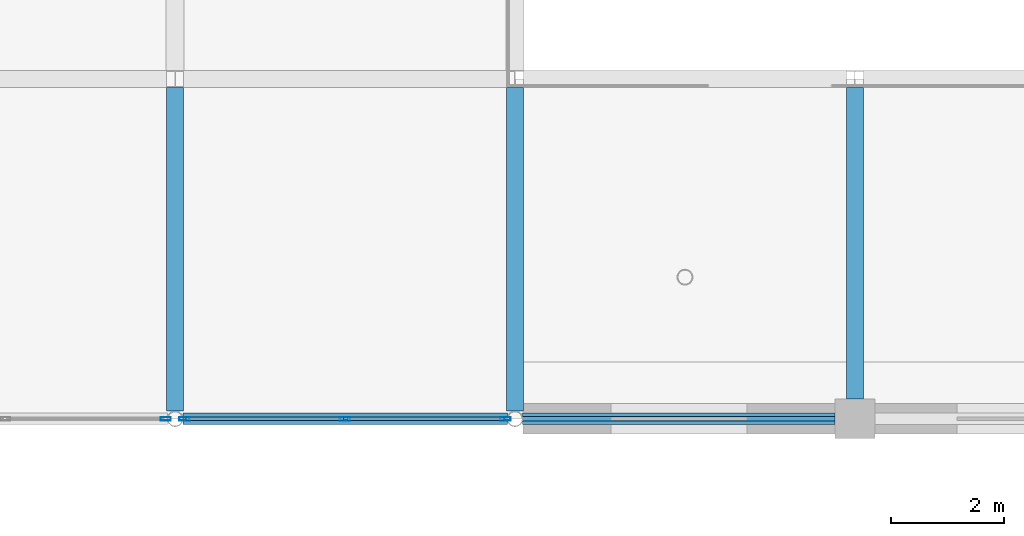
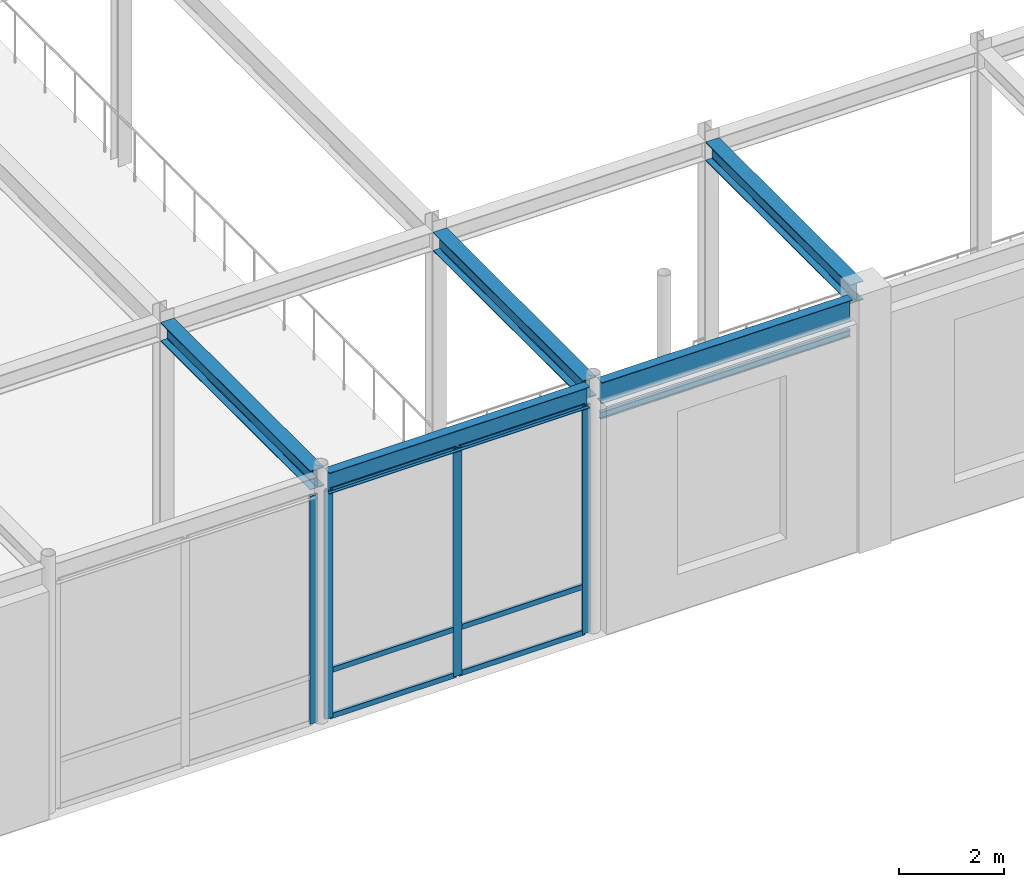
# One storey, part 54 of 108: 10 members, 6 beams, 2 elements without a shape of their own.
"""IFC4 building model written with IfcOpenShell, lengths in metres."""

from ifc_helpers import new_model, si_unit, direction, frame, origin, origin_2d, place, context, subcontext, project, spatial, hollow_rectangle, i_section, extrude, material, layer, layer_set, material_profile, profile_set, type_object, element, aggregate, save


model = new_model("IFC4")

# Units and contexts
model_context = context("Model", 3, precision=1e-05, world=origin(), true_north=direction((0.0, 1.0)))
body_context = subcontext(model_context, "Body", "Model", "MODEL_VIEW")
ifc_project = project(units=[si_unit("LENGTHUNIT", "METRE"), si_unit("AREAUNIT", "SQUARE_METRE"), si_unit("VOLUMEUNIT", "CUBIC_METRE"), si_unit("PLANEANGLEUNIT", "RADIAN"), si_unit("MASSUNIT", "GRAM", prefix="KILO")], contexts=[model_context])

# Site, building, storey
site_placement = place(None, origin())
site = spatial("IfcSite", under=ifc_project, at=site_placement, CompositionType="ELEMENT")
building_placement = place(site_placement, origin())
building = spatial("IfcBuilding", under=site, at=building_placement, Name="Zlatovratsky Civic Hall", CompositionType="ELEMENT")
storey_placement = place(building_placement, frame((0.0, 0.0, 6.0)))
storey = spatial("IfcBuildingStorey", under=building, at=storey_placement, Name="L02", CompositionType="ELEMENT", Elevation=6.0)

# Beams
ifc_material_1 = material(Name="Steel S355", Category="steel")
ifc_material_profile_1 = material_profile(ifc_material_1, i_section(OverallWidth=0.198974609375, OverallDepth=0.491943359375, WebThickness=0.0087890625, FlangeThickness=0.011962890625, FilletRadius=0.01611328125, at=origin_2d()), Name="50B1")
ifc_profile_set_1 = profile_set([ifc_material_profile_1], Name="Steel S355")
beam_type_1 = type_object("IfcBeamType", Name="Beam_Spandrel_50B1", PredefinedType="SPANDREL", material=ifc_profile_set_1)
beam_1_placement = place(storey_placement, frame((66.136474609375, 12.0, 5.513916015625), z_axis=(1.0, 0.0, 0.0), x_axis=(0.0, 1.0, 0.0)))
element("IfcBeam", 1, at=beam_1_placement, inside=storey, type_object=beam_type_1, Name="BM-1747", PredefinedType="SPANDREL", context=body_context, shape_type="SweptSolid", body=[
    extrude(i_section(OverallWidth=0.198974609375, OverallDepth=0.491943359375, WebThickness=0.0087890625, FlangeThickness=0.011962890625, FilletRadius=0.01611328125, at=origin_2d()), origin(), (0.0, 0.0, 1.0), 5.72705078125),
])
beam_2_placement = place(storey_placement, frame((72.136474609375, 12.0, 5.513916015625), z_axis=(1.0, 0.0, 0.0), x_axis=(0.0, 1.0, 0.0)))
element("IfcBeam", 2, at=beam_2_placement, inside=storey, type_object=beam_type_1, Name="BM-1748", PredefinedType="SPANDREL", context=body_context, shape_type="SweptSolid", body=[
    extrude(i_section(OverallWidth=0.198974609375, OverallDepth=0.491943359375, WebThickness=0.0087890625, FlangeThickness=0.011962890625, FilletRadius=0.01611328125, at=origin_2d()), origin(), (0.0, 0.0, 1.0), 5.513427734375),
])
ifc_material_profile_2 = material_profile(ifc_material_1, i_section(OverallWidth=0.300048828125, OverallDepth=0.43994140625, WebThickness=0.010986328125, FlangeThickness=0.01806640625, FilletRadius=0.02197265625, at=origin_2d()), Name="45Sh1")
ifc_profile_set_2 = profile_set([ifc_material_profile_2], Name="Steel S355")
beam_type_2 = type_object("IfcBeamType", Name="Beam_TowerLow_45Sh1", PredefinedType="BEAM", material=ifc_profile_set_2)
for number, where, z_axis, x_axis, name in (
    (3, (66.0, 12.136474609375, 5.5400390625), (0.0, 1.0, 0.0), (-1.0, 0.0, 0.0), "BM-2180"),
    (4, (72.0, 12.136474609375, 5.5400390625), (0.0, 1.0, 0.0), (-1.0, 0.0, 0.0), "BM-2196"),
):
    element("IfcBeam", number, at=place(storey_placement, frame(where, z_axis=z_axis, x_axis=x_axis)), inside=storey, type_object=beam_type_2, Name=name, PredefinedType="BEAM", context=body_context, shape_type="SweptSolid", body=[
        extrude(i_section(OverallWidth=0.300048828125, OverallDepth=0.43994140625, WebThickness=0.010986328125, FlangeThickness=0.01806640625, FilletRadius=0.02197265625, at=origin_2d()), origin(), (0.0, 0.0, 1.0), 5.713623046875),
    ])
beam_3_placement = place(storey_placement, frame((78.0, 12.35009765625, 5.5400390625), z_axis=(0.0, 1.0, 0.0), x_axis=(-1.0, 0.0, 0.0)))
element("IfcBeam", 5, at=beam_3_placement, inside=storey, type_object=beam_type_2, Name="BM-2208", PredefinedType="BEAM", context=body_context, shape_type="SweptSolid", body=[
    extrude(i_section(OverallWidth=0.300048828125, OverallDepth=0.43994140625, WebThickness=0.010986328125, FlangeThickness=0.01806640625, FilletRadius=0.02197265625, at=origin_2d()), origin(), (0.0, 0.0, 1.0), 5.5),
])

# Curtain wall, member
ifc_material_2 = material(Name="Anodised bronze aluminium", Category="aluminium")
ifc_layer = layer(ifc_material_2, 0.159912109375)
ifc_layer_set = layer_set([ifc_layer], Name="Anodised bronze aluminium")
curtain_wall_type = type_object("IfcCurtainWallType", Name="CurtainWall_Bronze_5730x5310_03", PredefinedType="NOTDEFINED", material=ifc_layer_set)
curtain_wall_1_placement = place(storey_placement, origin())
curtain_wall_1 = element("IfcCurtainWall", 6, at=curtain_wall_1_placement, inside=storey, type_object=curtain_wall_type, Name="CW-005", PredefinedType="NOTDEFINED")
ifc_material_profile_3 = material_profile(ifc_material_2, hollow_rectangle(XDim=0.06005859375, YDim=0.179931640625, WallThickness=0.00390625, at=origin_2d()), Name="ALU 60x180x4")
ifc_profile_set_3 = profile_set([ifc_material_profile_3], Name="Anodised bronze aluminium")
member_type_1 = type_object("IfcMemberType", Name="CW_Mullion_60x180", PredefinedType="MULLION", material=ifc_profile_set_3)
member_1_placement = place(storey_placement, frame((65.83349609375, 12.0, 0.0), z_axis=(0.0, 0.0, 1.0), x_axis=(0.0, 1.0, 0.0)))
member_1 = element("IfcMember", 7, at=member_1_placement, type_object=member_type_1, Name="CW-03 mullion 3", PredefinedType="MULLION", context=body_context, shape_type="SweptSolid", body=[
    extrude(hollow_rectangle(XDim=0.06005859375, YDim=0.179931640625, WallThickness=0.00390625, at=origin_2d()), origin(), (0.0, 0.0, 1.0), 5.31005859375),
])
aggregate(curtain_wall_1, [member_1])

# Curtain wall, members
curtain_wall_2_placement = place(storey_placement, origin())
curtain_wall_2 = element("IfcCurtainWall", 8, at=curtain_wall_2_placement, inside=storey, type_object=curtain_wall_type, Name="CW-006", PredefinedType="NOTDEFINED")
member_2_placement = place(storey_placement, frame((66.16650390625, 12.0, 0.0), z_axis=(0.0, 0.0, 1.0), x_axis=(0.0, 1.0, 0.0)))
member_2 = element("IfcMember", 9, at=member_2_placement, type_object=member_type_1, Name="CW-03 mullion 1", PredefinedType="MULLION", context=body_context, shape_type="SweptSolid", body=[
    extrude(hollow_rectangle(XDim=0.06005859375, YDim=0.179931640625, WallThickness=0.00390625, at=origin_2d()), origin(), (0.0, 0.0, 1.0), 5.31005859375),
])
member_3_placement = place(storey_placement, frame((69.0, 12.0, 0.0), z_axis=(0.0, 0.0, 1.0), x_axis=(0.0, 1.0, 0.0)))
member_3 = element("IfcMember", 10, at=member_3_placement, type_object=member_type_1, Name="CW-03 mullion 2", PredefinedType="MULLION", context=body_context, shape_type="SweptSolid", body=[
    extrude(hollow_rectangle(XDim=0.06005859375, YDim=0.179931640625, WallThickness=0.00390625, at=origin_2d()), origin(), (0.0, 0.0, 1.0), 5.31005859375),
])
member_4_placement = place(storey_placement, frame((71.83349609375, 12.0, 0.0), z_axis=(0.0, 0.0, 1.0), x_axis=(0.0, 1.0, 0.0)))
member_4 = element("IfcMember", 11, at=member_4_placement, type_object=member_type_1, Name="CW-03 mullion 3", PredefinedType="MULLION", context=body_context, shape_type="SweptSolid", body=[
    extrude(hollow_rectangle(XDim=0.06005859375, YDim=0.179931640625, WallThickness=0.00390625, at=origin_2d()), origin(), (0.0, 0.0, 1.0), 5.31005859375),
])
ifc_material_profile_4 = material_profile(ifc_material_2, hollow_rectangle(XDim=0.06005859375, YDim=0.1201171875, WallThickness=0.00390625, at=origin_2d()), Name="ALU 60x120x4")
ifc_profile_set_4 = profile_set([ifc_material_profile_4], Name="Anodised bronze aluminium")
member_type_2 = type_object("IfcMemberType", Name="CW_Transom_60x120", PredefinedType="USERDEFINED", material=ifc_profile_set_4)
member_5_placement = place(storey_placement, frame((66.196533203125, 12.0, 0.030029296875), z_axis=(1.0, 0.0, 0.0), x_axis=(0.0, 1.0, 0.0)))
member_5 = element("IfcMember", 12, at=member_5_placement, type_object=member_type_2, Name="CW-03 transom 1.1", ObjectType="TRANSOM", PredefinedType="USERDEFINED", context=body_context, shape_type="SweptSolid", body=[
    extrude(hollow_rectangle(XDim=0.06005859375, YDim=0.1201171875, WallThickness=0.00390625, at=origin_2d()), origin(), (0.0, 0.0, 1.0), 2.7734375),
])
member_6_placement = place(storey_placement, frame((66.196533203125, 12.0, 1.10009765625), z_axis=(1.0, 0.0, 0.0), x_axis=(0.0, 1.0, 0.0)))
member_6 = element("IfcMember", 13, at=member_6_placement, type_object=member_type_2, Name="CW-03 transom 1.2", ObjectType="TRANSOM", PredefinedType="USERDEFINED", context=body_context, shape_type="SweptSolid", body=[
    extrude(hollow_rectangle(XDim=0.06005859375, YDim=0.1201171875, WallThickness=0.00390625, at=origin_2d()), origin(), (0.0, 0.0, 1.0), 2.7734375),
])
member_7_placement = place(storey_placement, frame((66.196533203125, 12.0, 5.280029296875), z_axis=(1.0, 0.0, 0.0), x_axis=(0.0, 1.0, 0.0)))
member_7 = element("IfcMember", 14, at=member_7_placement, type_object=member_type_2, Name="CW-03 transom 1.3", ObjectType="TRANSOM", PredefinedType="USERDEFINED", context=body_context, shape_type="SweptSolid", body=[
    extrude(hollow_rectangle(XDim=0.06005859375, YDim=0.1201171875, WallThickness=0.00390625, at=origin_2d()), origin(), (0.0, 0.0, 1.0), 2.7734375),
])
member_8_placement = place(storey_placement, frame((69.030029296875, 12.0, 0.030029296875), z_axis=(1.0, 0.0, 0.0), x_axis=(0.0, 1.0, 0.0)))
member_8 = element("IfcMember", 15, at=member_8_placement, type_object=member_type_2, Name="CW-03 transom 2.1", ObjectType="TRANSOM", PredefinedType="USERDEFINED", context=body_context, shape_type="SweptSolid", body=[
    extrude(hollow_rectangle(XDim=0.06005859375, YDim=0.1201171875, WallThickness=0.00390625, at=origin_2d()), origin(), (0.0, 0.0, 1.0), 2.7734375),
])
member_9_placement = place(storey_placement, frame((69.030029296875, 12.0, 1.10009765625), z_axis=(1.0, 0.0, 0.0), x_axis=(0.0, 1.0, 0.0)))
member_9 = element("IfcMember", 16, at=member_9_placement, type_object=member_type_2, Name="CW-03 transom 2.2", ObjectType="TRANSOM", PredefinedType="USERDEFINED", context=body_context, shape_type="SweptSolid", body=[
    extrude(hollow_rectangle(XDim=0.06005859375, YDim=0.1201171875, WallThickness=0.00390625, at=origin_2d()), origin(), (0.0, 0.0, 1.0), 2.7734375),
])
member_10_placement = place(storey_placement, frame((69.030029296875, 12.0, 5.280029296875), z_axis=(1.0, 0.0, 0.0), x_axis=(0.0, 1.0, 0.0)))
member_10 = element("IfcMember", 17, at=member_10_placement, type_object=member_type_2, Name="CW-03 transom 2.3", ObjectType="TRANSOM", PredefinedType="USERDEFINED", context=body_context, shape_type="SweptSolid", body=[
    extrude(hollow_rectangle(XDim=0.06005859375, YDim=0.1201171875, WallThickness=0.00390625, at=origin_2d()), origin(), (0.0, 0.0, 1.0), 2.7734375),
])
aggregate(curtain_wall_2, [member_2, member_3, member_4, member_5, member_6, member_7, member_8, member_9, member_10])

# Beam
ifc_material_profile_5 = material_profile(ifc_material_1, i_section(OverallWidth=0.08203125, OverallDepth=0.156982421875, WebThickness=0.00390625, FlangeThickness=0.005859375, FilletRadius=0.009033203125, at=origin_2d()), Name="16B1")
ifc_profile_set_5 = profile_set([ifc_material_profile_5], Name="Steel S355")
beam_type_3 = type_object("IfcBeamType", Name="Lintel_Window_16B1", PredefinedType="LINTEL", material=ifc_profile_set_5)
beam_4_placement = place(storey_placement, frame((72.136474609375, 12.0, 4.949951171875), z_axis=(1.0, 0.0, 0.0), x_axis=(0.0, 1.0, 0.0)))
element("IfcBeam", 18, at=beam_4_placement, inside=storey, type_object=beam_type_3, Name="BM-5402", PredefinedType="LINTEL", context=body_context, shape_type="SweptSolid", body=[
    extrude(i_section(OverallWidth=0.08203125, OverallDepth=0.156982421875, WebThickness=0.00390625, FlangeThickness=0.005859375, FilletRadius=0.009033203125, at=origin_2d()), origin(), (0.0, 0.0, 1.0), 5.513427734375),
])

save(model, "model.ifc")
